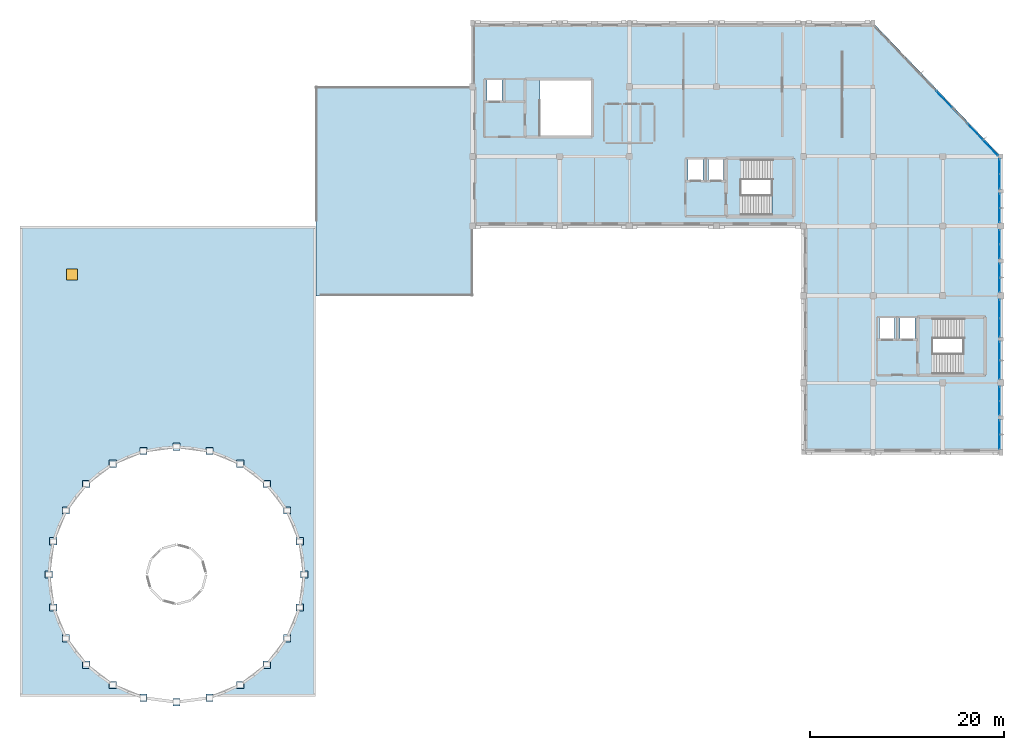
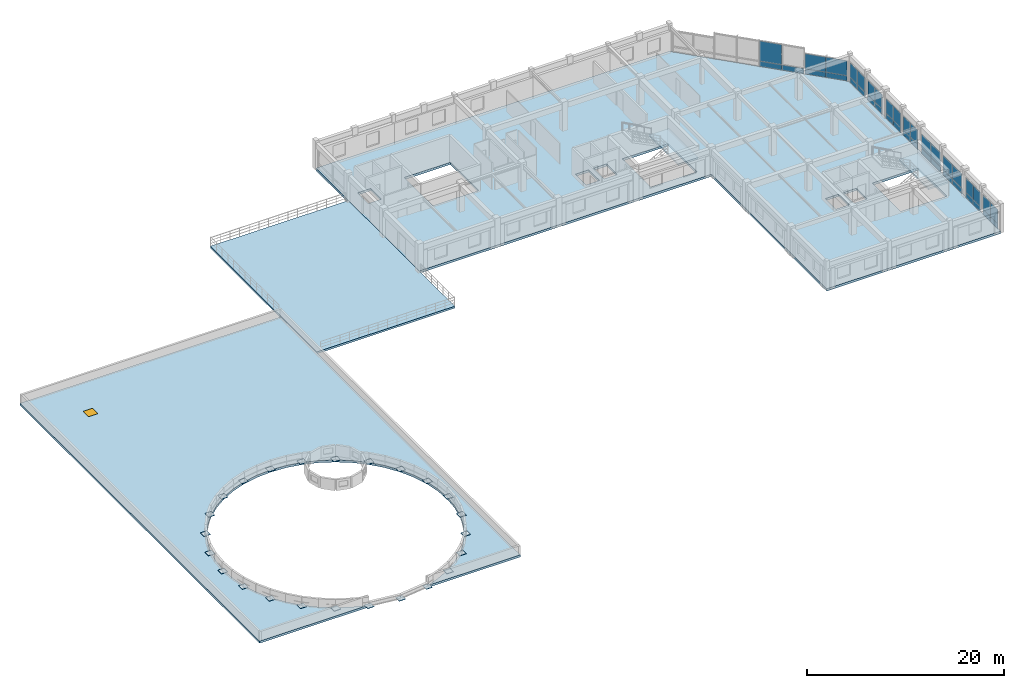
# One storey, part 10 of 18: 63 plates, 5 slabs, 1 window, 1 opening, 12 elements without a shape of their own.
"""IFC4 building model written with IfcOpenShell, lengths in metres."""

from ifc_helpers import new_model, si_unit, direction, frame, frame_2d, origin, origin_2d, place, context, subcontext, project, spatial, polyline, rectangle, outline, extrude, material, layer, layer_set, type_object, element, fill, aggregate, save


model = new_model("IFC4")

# Units and contexts
model_context = context("Model", 3, precision=1e-05, world=origin(), true_north=direction((0.0, 1.0)))
body_context = subcontext(model_context, "Body", "Model", "MODEL_VIEW")
ifc_project = project(units=[si_unit("LENGTHUNIT", "METRE"), si_unit("AREAUNIT", "SQUARE_METRE"), si_unit("VOLUMEUNIT", "CUBIC_METRE"), si_unit("PLANEANGLEUNIT", "RADIAN"), si_unit("MASSUNIT", "GRAM", prefix="KILO")], contexts=[model_context])

# Site, building, storey
site_placement = place(None, origin())
site = spatial("IfcSite", under=ifc_project, at=site_placement, CompositionType="ELEMENT")
building_placement = place(site_placement, origin())
building = spatial("IfcBuilding", under=site, at=building_placement, Name="Clarverna Civic Hall", CompositionType="ELEMENT")
storey_placement = place(building_placement, frame((0.0, 0.0, 20.39990234375)))
storey = spatial("IfcBuildingStorey", under=building, at=storey_placement, Name="L05", CompositionType="ELEMENT", Elevation=20.39990234375)

# Curtain wall, plate
ifc_material_1 = material(Name="Anodised Bronze Architectural Aluminium", Category="aluminium")
curtain_wall_type = type_object("IfcCurtainWallType", Name="CW-01", PredefinedType="USERDEFINED", material=ifc_material_1)
curtain_wall_1_placement = place(storey_placement, origin())
curtain_wall_1 = element("IfcCurtainWall", 1, at=curtain_wall_1_placement, inside=storey, type_object=curtain_wall_type, Name="CW-01-103", ObjectType="UNITISED CURTAIN WALL", PredefinedType="USERDEFINED")
ifc_material_2 = material(Name="Solar-Control Argon Low-E Double Glazing", Category="glass")
ifc_layer_1 = layer(ifc_material_2, 0.031982421875)
ifc_layer_set_1 = layer_set([ifc_layer_1], Name="Solar-Control Argon Low-E Double Glazing")
plate_type_1 = type_object("IfcPlateType", Name="CWP-01", PredefinedType="CURTAIN_PANEL", material=ifc_layer_set_1)
plate_1_placement = place(storey_placement, frame((161.33203125, 108.968505859375, 0.76513671875), z_axis=(0.0, 0.0, 1.0), x_axis=(0.691227416228, -0.72263729426, 0.0)))
plate_1 = element("IfcPlate", 2, at=plate_1_placement, type_object=plate_type_1, Name="CWP-01-585", PredefinedType="CURTAIN_PANEL", context=body_context, shape_type="SweptSolid", body=[
    extrude(rectangle(XDim=2.323974609375, YDim=0.031982421875, at=frame_2d((1.162109375, 0.0))), origin(), (0.0, 0.0, 1.0), 2.48486328125),
])

# Curtain wall, plates
curtain_wall_2_placement = place(storey_placement, origin())
curtain_wall_2 = element("IfcCurtainWall", 3, at=curtain_wall_2_placement, inside=storey, type_object=curtain_wall_type, Name="CW-01-104", ObjectType="UNITISED CURTAIN WALL", PredefinedType="USERDEFINED")
plate_2_placement = place(storey_placement, frame((164.632080078125, 105.5185546875, 0.76513671875), z_axis=(0.0, 0.0, 1.0), x_axis=(0.691157299137, -0.722704357154, 0.0)))
plate_2 = element("IfcPlate", 4, at=plate_2_placement, type_object=plate_type_1, Name="CWP-01-587", PredefinedType="CURTAIN_PANEL", context=body_context, shape_type="SweptSolid", body=[
    extrude(rectangle(XDim=2.20556640625, YDim=0.031982421875, at=frame_2d((1.102783203125, 0.0))), origin(), (0.0, 0.0, 1.0), 1.844970703125),
])
plate_3_placement = place(storey_placement, frame((166.17724609375, 103.903076171875, 0.76513671875), z_axis=(0.0, 0.0, 1.0), x_axis=(0.691215106814, -0.722649068437, 0.0)))
plate_3 = element("IfcPlate", 5, at=plate_3_placement, type_object=plate_type_1, Name="CWP-01-588", PredefinedType="CURTAIN_PANEL", context=body_context, shape_type="SweptSolid", body=[
    extrude(rectangle(XDim=2.205810546875, YDim=0.031982421875, at=frame_2d((1.10302734375, 0.0))), origin(), (0.0, 0.0, 1.0), 1.844970703125),
])

curtain_wall_3_placement = place(storey_placement, origin())
curtain_wall_3 = element("IfcCurtainWall", 6, at=curtain_wall_3_placement, inside=storey, type_object=curtain_wall_type, Name="CW-01-105", ObjectType="UNITISED CURTAIN WALL", PredefinedType="USERDEFINED")
plate_4_placement = place(storey_placement, frame((167.860107421875, 101.886962890625, 0.76513671875), z_axis=(0.0, 0.0, 1.0), x_axis=(0.0, -1.0, 0.0)))
plate_4 = element("IfcPlate", 7, at=plate_4_placement, type_object=plate_type_1, Name="CWP-01-589", PredefinedType="CURTAIN_PANEL", context=body_context, shape_type="SweptSolid", body=[
    extrude(rectangle(XDim=1.489501953125, YDim=0.031982421875, at=frame_2d((0.74462890625, 0.0))), origin(), (0.0, 0.0, 1.0), 1.764892578125),
])
plate_5_placement = place(storey_placement, frame((167.860107421875, 100.367431640625, 0.76513671875), z_axis=(0.0, 0.0, 1.0), x_axis=(0.0, -1.0, 0.0)))
plate_5 = element("IfcPlate", 8, at=plate_5_placement, type_object=plate_type_1, Name="CWP-01-590", PredefinedType="CURTAIN_PANEL", context=body_context, shape_type="SweptSolid", body=[
    extrude(rectangle(XDim=1.489501953125, YDim=0.031982421875, at=frame_2d((0.74462890625, 0.0))), origin(), (0.0, 0.0, 1.0), 1.764892578125),
])

curtain_wall_4_placement = place(storey_placement, origin())
curtain_wall_4 = element("IfcCurtainWall", 9, at=curtain_wall_4_placement, inside=storey, type_object=curtain_wall_type, Name="CW-01-106", ObjectType="UNITISED CURTAIN WALL", PredefinedType="USERDEFINED")
plate_6_placement = place(storey_placement, frame((167.860107421875, 98.322021484375, 0.76513671875), z_axis=(0.0, 0.0, 1.0), x_axis=(0.0, -1.0, 0.0)))
plate_6 = element("IfcPlate", 10, at=plate_6_placement, type_object=plate_type_1, Name="CWP-01-591", PredefinedType="CURTAIN_PANEL", context=body_context, shape_type="SweptSolid", body=[
    extrude(rectangle(XDim=1.439453125, YDim=0.031982421875, at=frame_2d((0.7197265625, 0.0))), origin(), (0.0, 0.0, 1.0), 1.764892578125),
])
plate_7_placement = place(storey_placement, frame((167.860107421875, 96.8525390625, 0.76513671875), z_axis=(0.0, 0.0, 1.0), x_axis=(0.0, -1.0, 0.0)))
plate_7 = element("IfcPlate", 11, at=plate_7_placement, type_object=plate_type_1, Name="CWP-01-592", PredefinedType="CURTAIN_PANEL", context=body_context, shape_type="SweptSolid", body=[
    extrude(rectangle(XDim=1.439453125, YDim=0.031982421875, at=frame_2d((0.7197265625, 0.0))), origin(), (0.0, 0.0, 1.0), 1.764892578125),
])

curtain_wall_5_placement = place(storey_placement, origin())
curtain_wall_5 = element("IfcCurtainWall", 12, at=curtain_wall_5_placement, inside=storey, type_object=curtain_wall_type, Name="CW-01-107", ObjectType="UNITISED CURTAIN WALL", PredefinedType="USERDEFINED")
plate_8_placement = place(storey_placement, frame((167.860107421875, 94.5869140625, 0.76513671875), z_axis=(0.0, 0.0, 1.0), x_axis=(0.0, -1.0, 0.0)))
plate_8 = element("IfcPlate", 13, at=plate_8_placement, type_object=plate_type_1, Name="CWP-01-593", PredefinedType="CURTAIN_PANEL", context=body_context, shape_type="SweptSolid", body=[
    extrude(rectangle(XDim=1.439453125, YDim=0.031982421875, at=frame_2d((0.7197265625, 0.0))), origin(), (0.0, 0.0, 1.0), 1.744873046875),
])
plate_9_placement = place(storey_placement, frame((167.860107421875, 93.117431640625, 0.76513671875), z_axis=(0.0, 0.0, 1.0), x_axis=(0.0, -1.0, 0.0)))
plate_9 = element("IfcPlate", 14, at=plate_9_placement, type_object=plate_type_1, Name="CWP-01-594", PredefinedType="CURTAIN_PANEL", context=body_context, shape_type="SweptSolid", body=[
    extrude(rectangle(XDim=1.439453125, YDim=0.031982421875, at=frame_2d((0.7197265625, 0.0))), origin(), (0.0, 0.0, 1.0), 1.744873046875),
])

curtain_wall_6_placement = place(storey_placement, origin())
curtain_wall_6 = element("IfcCurtainWall", 15, at=curtain_wall_6_placement, inside=storey, type_object=curtain_wall_type, Name="CW-01-108", ObjectType="UNITISED CURTAIN WALL", PredefinedType="USERDEFINED")
plate_10_placement = place(storey_placement, frame((167.860107421875, 91.1220703125, 0.76513671875), z_axis=(0.0, 0.0, 1.0), x_axis=(0.0, -1.0, 0.0)))
plate_10 = element("IfcPlate", 16, at=plate_10_placement, type_object=plate_type_1, Name="CWP-01-595", PredefinedType="CURTAIN_PANEL", context=body_context, shape_type="SweptSolid", body=[
    extrude(rectangle(XDim=1.439453125, YDim=0.031982421875, at=frame_2d((0.7197265625, 0.0))), origin(), (0.0, 0.0, 1.0), 1.744873046875),
])
plate_11_placement = place(storey_placement, frame((167.860107421875, 89.652587890625, 0.76513671875), z_axis=(0.0, 0.0, 1.0), x_axis=(0.0, -1.0, 0.0)))
plate_11 = element("IfcPlate", 17, at=plate_11_placement, type_object=plate_type_1, Name="CWP-01-596", PredefinedType="CURTAIN_PANEL", context=body_context, shape_type="SweptSolid", body=[
    extrude(rectangle(XDim=1.439697265625, YDim=0.031982421875, at=frame_2d((0.7197265625, 0.0))), origin(), (0.0, 0.0, 1.0), 1.744873046875),
])

curtain_wall_7_placement = place(storey_placement, origin())
curtain_wall_7 = element("IfcCurtainWall", 18, at=curtain_wall_7_placement, inside=storey, type_object=curtain_wall_type, Name="CW-01-109", ObjectType="UNITISED CURTAIN WALL", PredefinedType="USERDEFINED")
plate_12_placement = place(storey_placement, frame((167.860107421875, 87.386962890625, 0.76513671875), z_axis=(0.0, 0.0, 1.0), x_axis=(0.0, -1.0, 0.0)))
plate_12 = element("IfcPlate", 19, at=plate_12_placement, type_object=plate_type_1, Name="CWP-01-597", PredefinedType="CURTAIN_PANEL", context=body_context, shape_type="SweptSolid", body=[
    extrude(rectangle(XDim=1.889404296875, YDim=0.031982421875, at=frame_2d((0.94482421875, 0.0))), origin(), (0.0, 0.0, 1.0), 1.744873046875),
])
plate_13_placement = place(storey_placement, frame((167.860107421875, 85.467529296875, 0.76513671875), z_axis=(0.0, 0.0, 1.0), x_axis=(0.0, -1.0, 0.0)))
plate_13 = element("IfcPlate", 20, at=plate_13_placement, type_object=plate_type_1, Name="CWP-01-598", PredefinedType="CURTAIN_PANEL", context=body_context, shape_type="SweptSolid", body=[
    extrude(rectangle(XDim=1.8896484375, YDim=0.031982421875, at=frame_2d((0.94482421875, 0.0))), origin(), (0.0, 0.0, 1.0), 1.744873046875),
])

curtain_wall_8_placement = place(storey_placement, origin())
curtain_wall_8 = element("IfcCurtainWall", 21, at=curtain_wall_8_placement, inside=storey, type_object=curtain_wall_type, Name="CW-01-110", ObjectType="UNITISED CURTAIN WALL", PredefinedType="USERDEFINED")
plate_14_placement = place(storey_placement, frame((167.860107421875, 83.02197265625, 0.76513671875), z_axis=(0.0, 0.0, 1.0), x_axis=(0.0, -1.0, 0.0)))
plate_14 = element("IfcPlate", 22, at=plate_14_placement, type_object=plate_type_1, Name="CWP-01-599", PredefinedType="CURTAIN_PANEL", context=body_context, shape_type="SweptSolid", body=[
    extrude(rectangle(XDim=1.889404296875, YDim=0.031982421875, at=frame_2d((0.94482421875, 0.0))), origin(), (0.0, 0.0, 1.0), 1.744873046875),
])
plate_15_placement = place(storey_placement, frame((167.860107421875, 81.1025390625, 0.76513671875), z_axis=(0.0, 0.0, 1.0), x_axis=(0.0, -1.0, 0.0)))
plate_15 = element("IfcPlate", 23, at=plate_15_placement, type_object=plate_type_1, Name="CWP-01-600", PredefinedType="CURTAIN_PANEL", context=body_context, shape_type="SweptSolid", body=[
    extrude(rectangle(XDim=1.8896484375, YDim=0.031982421875, at=frame_2d((0.94482421875, 0.0))), origin(), (0.0, 0.0, 1.0), 1.744873046875),
])

curtain_wall_9_placement = place(storey_placement, origin())
curtain_wall_9 = element("IfcCurtainWall", 24, at=curtain_wall_9_placement, inside=storey, type_object=curtain_wall_type, Name="CW-01-111", ObjectType="UNITISED CURTAIN WALL", PredefinedType="USERDEFINED")
plate_16_placement = place(storey_placement, frame((167.860107421875, 78.386962890625, 0.76513671875), z_axis=(0.0, 0.0, 1.0), x_axis=(0.0, -1.0, 0.0)))
plate_16 = element("IfcPlate", 25, at=plate_16_placement, type_object=plate_type_1, Name="CWP-01-601", PredefinedType="CURTAIN_PANEL", context=body_context, shape_type="SweptSolid", body=[
    extrude(rectangle(XDim=1.439453125, YDim=0.031982421875, at=frame_2d((0.7197265625, 0.0))), origin(), (0.0, 0.0, 1.0), 1.744873046875),
])
plate_17_placement = place(storey_placement, frame((167.860107421875, 76.91748046875, 0.76513671875), z_axis=(0.0, 0.0, 1.0), x_axis=(0.0, -1.0, 0.0)))
plate_17 = element("IfcPlate", 26, at=plate_17_placement, type_object=plate_type_1, Name="CWP-01-602", PredefinedType="CURTAIN_PANEL", context=body_context, shape_type="SweptSolid", body=[
    extrude(rectangle(XDim=1.439453125, YDim=0.031982421875, at=frame_2d((0.7197265625, 0.0))), origin(), (0.0, 0.0, 1.0), 1.744873046875),
])

curtain_wall_10_placement = place(storey_placement, origin())
curtain_wall_10 = element("IfcCurtainWall", 27, at=curtain_wall_10_placement, inside=storey, type_object=curtain_wall_type, Name="CW-01-112", ObjectType="UNITISED CURTAIN WALL", PredefinedType="USERDEFINED")
plate_18_placement = place(storey_placement, frame((167.860107421875, 74.922119140625, 0.76513671875), z_axis=(0.0, 0.0, 1.0), x_axis=(0.0, -1.0, 0.0)))
plate_18 = element("IfcPlate", 28, at=plate_18_placement, type_object=plate_type_1, Name="CWP-01-603", PredefinedType="CURTAIN_PANEL", context=body_context, shape_type="SweptSolid", body=[
    extrude(rectangle(XDim=1.4521484375, YDim=0.031982421875, at=frame_2d((0.72607421875, 0.0))), origin(), (0.0, 0.0, 1.0), 1.744873046875),
])
plate_19_placement = place(storey_placement, frame((167.860107421875, 73.43994140625, 0.76513671875), z_axis=(0.0, 0.0, 1.0), x_axis=(0.0, -1.0, 0.0)))
plate_19 = element("IfcPlate", 29, at=plate_19_placement, type_object=plate_type_1, Name="CWP-01-604", PredefinedType="CURTAIN_PANEL", context=body_context, shape_type="SweptSolid", body=[
    extrude(rectangle(XDim=1.451904296875, YDim=0.031982421875, at=frame_2d((0.72607421875, 0.0))), origin(), (0.0, 0.0, 1.0), 1.744873046875),
])

# Plate
ifc_material_3 = material(Name="Insulated Anodised Bronze Spandrel Panel", Category="aluminium")
ifc_layer_2 = layer(ifc_material_3, 0.048095703125)
ifc_layer_set_2 = layer_set([ifc_layer_2], Name="Insulated Anodised Bronze Spandrel Panel")
plate_type_2 = type_object("IfcPlateType", Name="CWP-03", PredefinedType="CURTAIN_PANEL", material=ifc_layer_set_2)
plate_20_placement = place(storey_placement, frame((161.33203125, 108.968505859375, 0.110107421875), z_axis=(0.0, 0.0, 1.0), x_axis=(0.691227416228, -0.72263729426, 0.0)))
plate_20 = element("IfcPlate", 30, at=plate_20_placement, type_object=plate_type_2, Name="CWP-03-605", PredefinedType="CURTAIN_PANEL", context=body_context, shape_type="SweptSolid", body=[
    extrude(rectangle(XDim=2.323974609375, YDim=0.048095703125, at=frame_2d((1.162109375, 0.0))), origin(), (0.0, 0.0, 1.0), 0.625),
])

plate_21_placement = place(storey_placement, frame((162.959228515625, 107.267333984375, 0.110107421875), z_axis=(0.0, 0.0, 1.0), x_axis=(0.691227416228, -0.72263729426, 0.0)))
plate_21 = element("IfcPlate", 31, at=plate_21_placement, type_object=plate_type_2, Name="CWP-03-606", PredefinedType="CURTAIN_PANEL", context=body_context, shape_type="SweptSolid", body=[
    extrude(rectangle(XDim=2.323974609375, YDim=0.048095703125, at=frame_2d((1.162109375, 0.0))), origin(), (0.0, 0.0, 1.0), 0.625),
])

aggregate(curtain_wall_1, [plate_20, plate_1, plate_21])

plate_22_placement = place(storey_placement, frame((164.632080078125, 105.5185546875, 0.110107421875), z_axis=(0.0, 0.0, 1.0), x_axis=(0.691157299137, -0.722704357154, 0.0)))
plate_22 = element("IfcPlate", 32, at=plate_22_placement, type_object=plate_type_2, Name="CWP-03-607", PredefinedType="CURTAIN_PANEL", context=body_context, shape_type="SweptSolid", body=[
    extrude(rectangle(XDim=2.20556640625, YDim=0.048095703125, at=frame_2d((1.102783203125, 0.0))), origin(), (0.0, 0.0, 1.0), 0.625),
])

plate_23_placement = place(storey_placement, frame((166.17724609375, 103.903076171875, 0.110107421875), z_axis=(0.0, 0.0, 1.0), x_axis=(0.691215106814, -0.722649068437, 0.0)))
plate_23 = element("IfcPlate", 33, at=plate_23_placement, type_object=plate_type_2, Name="CWP-03-608", PredefinedType="CURTAIN_PANEL", context=body_context, shape_type="SweptSolid", body=[
    extrude(rectangle(XDim=2.205810546875, YDim=0.048095703125, at=frame_2d((1.10302734375, 0.0))), origin(), (0.0, 0.0, 1.0), 0.625),
])

aggregate(curtain_wall_2, [plate_22, plate_2, plate_23, plate_3])

plate_24_placement = place(storey_placement, frame((167.860107421875, 101.886962890625, 0.110107421875), z_axis=(0.0, 0.0, 1.0), x_axis=(0.0, -1.0, 0.0)))
plate_24 = element("IfcPlate", 34, at=plate_24_placement, type_object=plate_type_2, Name="CWP-03-609", PredefinedType="CURTAIN_PANEL", context=body_context, shape_type="SweptSolid", body=[
    extrude(rectangle(XDim=1.489501953125, YDim=0.048095703125, at=frame_2d((0.74462890625, 0.0))), origin(), (0.0, 0.0, 1.0), 0.625),
])

plate_25_placement = place(storey_placement, frame((167.860107421875, 100.367431640625, 0.110107421875), z_axis=(0.0, 0.0, 1.0), x_axis=(0.0, -1.0, 0.0)))
plate_25 = element("IfcPlate", 35, at=plate_25_placement, type_object=plate_type_2, Name="CWP-03-610", PredefinedType="CURTAIN_PANEL", context=body_context, shape_type="SweptSolid", body=[
    extrude(rectangle(XDim=1.489501953125, YDim=0.048095703125, at=frame_2d((0.74462890625, 0.0))), origin(), (0.0, 0.0, 1.0), 0.625),
])

aggregate(curtain_wall_3, [plate_24, plate_4, plate_25, plate_5])

plate_26_placement = place(storey_placement, frame((167.860107421875, 98.322021484375, 0.110107421875), z_axis=(0.0, 0.0, 1.0), x_axis=(0.0, -1.0, 0.0)))
plate_26 = element("IfcPlate", 36, at=plate_26_placement, type_object=plate_type_2, Name="CWP-03-611", PredefinedType="CURTAIN_PANEL", context=body_context, shape_type="SweptSolid", body=[
    extrude(rectangle(XDim=1.439453125, YDim=0.048095703125, at=frame_2d((0.7197265625, 0.0))), origin(), (0.0, 0.0, 1.0), 0.625),
])

plate_27_placement = place(storey_placement, frame((167.860107421875, 96.8525390625, 0.110107421875), z_axis=(0.0, 0.0, 1.0), x_axis=(0.0, -1.0, 0.0)))
plate_27 = element("IfcPlate", 37, at=plate_27_placement, type_object=plate_type_2, Name="CWP-03-612", PredefinedType="CURTAIN_PANEL", context=body_context, shape_type="SweptSolid", body=[
    extrude(rectangle(XDim=1.439453125, YDim=0.048095703125, at=frame_2d((0.7197265625, 0.0))), origin(), (0.0, 0.0, 1.0), 0.625),
])

aggregate(curtain_wall_4, [plate_26, plate_6, plate_27, plate_7])

plate_28_placement = place(storey_placement, frame((167.860107421875, 94.5869140625, 0.110107421875), z_axis=(0.0, 0.0, 1.0), x_axis=(0.0, -1.0, 0.0)))
plate_28 = element("IfcPlate", 38, at=plate_28_placement, type_object=plate_type_2, Name="CWP-03-613", PredefinedType="CURTAIN_PANEL", context=body_context, shape_type="SweptSolid", body=[
    extrude(rectangle(XDim=1.439453125, YDim=0.048095703125, at=frame_2d((0.7197265625, 0.0))), origin(), (0.0, 0.0, 1.0), 0.625),
])

plate_29_placement = place(storey_placement, frame((167.860107421875, 93.117431640625, 0.110107421875), z_axis=(0.0, 0.0, 1.0), x_axis=(0.0, -1.0, 0.0)))
plate_29 = element("IfcPlate", 39, at=plate_29_placement, type_object=plate_type_2, Name="CWP-03-614", PredefinedType="CURTAIN_PANEL", context=body_context, shape_type="SweptSolid", body=[
    extrude(rectangle(XDim=1.439453125, YDim=0.048095703125, at=frame_2d((0.7197265625, 0.0))), origin(), (0.0, 0.0, 1.0), 0.625),
])

aggregate(curtain_wall_5, [plate_28, plate_8, plate_29, plate_9])

plate_30_placement = place(storey_placement, frame((167.860107421875, 91.1220703125, 0.110107421875), z_axis=(0.0, 0.0, 1.0), x_axis=(0.0, -1.0, 0.0)))
plate_30 = element("IfcPlate", 40, at=plate_30_placement, type_object=plate_type_2, Name="CWP-03-615", PredefinedType="CURTAIN_PANEL", context=body_context, shape_type="SweptSolid", body=[
    extrude(rectangle(XDim=1.439453125, YDim=0.048095703125, at=frame_2d((0.7197265625, 0.0))), origin(), (0.0, 0.0, 1.0), 0.625),
])

plate_31_placement = place(storey_placement, frame((167.860107421875, 89.652587890625, 0.110107421875), z_axis=(0.0, 0.0, 1.0), x_axis=(0.0, -1.0, 0.0)))
plate_31 = element("IfcPlate", 41, at=plate_31_placement, type_object=plate_type_2, Name="CWP-03-616", PredefinedType="CURTAIN_PANEL", context=body_context, shape_type="SweptSolid", body=[
    extrude(rectangle(XDim=1.439697265625, YDim=0.048095703125, at=frame_2d((0.7197265625, 0.0))), origin(), (0.0, 0.0, 1.0), 0.625),
])

aggregate(curtain_wall_6, [plate_30, plate_10, plate_31, plate_11])

plate_32_placement = place(storey_placement, frame((167.860107421875, 87.386962890625, 0.110107421875), z_axis=(0.0, 0.0, 1.0), x_axis=(0.0, -1.0, 0.0)))
plate_32 = element("IfcPlate", 42, at=plate_32_placement, type_object=plate_type_2, Name="CWP-03-617", PredefinedType="CURTAIN_PANEL", context=body_context, shape_type="SweptSolid", body=[
    extrude(rectangle(XDim=1.889404296875, YDim=0.048095703125, at=frame_2d((0.94482421875, 0.0))), origin(), (0.0, 0.0, 1.0), 0.625),
])

plate_33_placement = place(storey_placement, frame((167.860107421875, 85.467529296875, 0.110107421875), z_axis=(0.0, 0.0, 1.0), x_axis=(0.0, -1.0, 0.0)))
plate_33 = element("IfcPlate", 43, at=plate_33_placement, type_object=plate_type_2, Name="CWP-03-618", PredefinedType="CURTAIN_PANEL", context=body_context, shape_type="SweptSolid", body=[
    extrude(rectangle(XDim=1.8896484375, YDim=0.048095703125, at=frame_2d((0.94482421875, 0.0))), origin(), (0.0, 0.0, 1.0), 0.625),
])

aggregate(curtain_wall_7, [plate_32, plate_12, plate_33, plate_13])

plate_34_placement = place(storey_placement, frame((167.860107421875, 83.02197265625, 0.110107421875), z_axis=(0.0, 0.0, 1.0), x_axis=(0.0, -1.0, 0.0)))
plate_34 = element("IfcPlate", 44, at=plate_34_placement, type_object=plate_type_2, Name="CWP-03-619", PredefinedType="CURTAIN_PANEL", context=body_context, shape_type="SweptSolid", body=[
    extrude(rectangle(XDim=1.889404296875, YDim=0.048095703125, at=frame_2d((0.94482421875, 0.0))), origin(), (0.0, 0.0, 1.0), 0.625),
])

plate_35_placement = place(storey_placement, frame((167.860107421875, 81.1025390625, 0.110107421875), z_axis=(0.0, 0.0, 1.0), x_axis=(0.0, -1.0, 0.0)))
plate_35 = element("IfcPlate", 45, at=plate_35_placement, type_object=plate_type_2, Name="CWP-03-620", PredefinedType="CURTAIN_PANEL", context=body_context, shape_type="SweptSolid", body=[
    extrude(rectangle(XDim=1.8896484375, YDim=0.048095703125, at=frame_2d((0.94482421875, 0.0))), origin(), (0.0, 0.0, 1.0), 0.625),
])

aggregate(curtain_wall_8, [plate_34, plate_14, plate_35, plate_15])

plate_36_placement = place(storey_placement, frame((167.860107421875, 78.386962890625, 0.110107421875), z_axis=(0.0, 0.0, 1.0), x_axis=(0.0, -1.0, 0.0)))
plate_36 = element("IfcPlate", 46, at=plate_36_placement, type_object=plate_type_2, Name="CWP-03-621", PredefinedType="CURTAIN_PANEL", context=body_context, shape_type="SweptSolid", body=[
    extrude(rectangle(XDim=1.439453125, YDim=0.048095703125, at=frame_2d((0.7197265625, 0.0))), origin(), (0.0, 0.0, 1.0), 0.625),
])

plate_37_placement = place(storey_placement, frame((167.860107421875, 76.91748046875, 0.110107421875), z_axis=(0.0, 0.0, 1.0), x_axis=(0.0, -1.0, 0.0)))
plate_37 = element("IfcPlate", 47, at=plate_37_placement, type_object=plate_type_2, Name="CWP-03-622", PredefinedType="CURTAIN_PANEL", context=body_context, shape_type="SweptSolid", body=[
    extrude(rectangle(XDim=1.439453125, YDim=0.048095703125, at=frame_2d((0.7197265625, 0.0))), origin(), (0.0, 0.0, 1.0), 0.625),
])

aggregate(curtain_wall_9, [plate_36, plate_16, plate_37, plate_17])

plate_38_placement = place(storey_placement, frame((167.860107421875, 74.922119140625, 0.110107421875), z_axis=(0.0, 0.0, 1.0), x_axis=(0.0, -1.0, 0.0)))
plate_38 = element("IfcPlate", 48, at=plate_38_placement, type_object=plate_type_2, Name="CWP-03-623", PredefinedType="CURTAIN_PANEL", context=body_context, shape_type="SweptSolid", body=[
    extrude(rectangle(XDim=1.4521484375, YDim=0.048095703125, at=frame_2d((0.72607421875, 0.0))), origin(), (0.0, 0.0, 1.0), 0.625),
])

plate_39_placement = place(storey_placement, frame((167.860107421875, 73.43994140625, 0.110107421875), z_axis=(0.0, 0.0, 1.0), x_axis=(0.0, -1.0, 0.0)))
plate_39 = element("IfcPlate", 49, at=plate_39_placement, type_object=plate_type_2, Name="CWP-03-624", PredefinedType="CURTAIN_PANEL", context=body_context, shape_type="SweptSolid", body=[
    extrude(rectangle(XDim=1.451904296875, YDim=0.048095703125, at=frame_2d((0.72607421875, 0.0))), origin(), (0.0, 0.0, 1.0), 0.625),
])

aggregate(curtain_wall_10, [plate_38, plate_18, plate_39, plate_19])

# Plates
ifc_material_4 = material(Name="Steel S355", Category="steel")
ifc_layer_3 = layer(ifc_material_4, 0.034912109375)
ifc_layer_set_3 = layer_set([ifc_layer_3], Name="Steel S355")
plate_type_3 = type_object("IfcPlateType", Name="NP-07", PredefinedType="SHEET", material=ifc_layer_set_3)
for number, where, z_axis, x_axis, name in (
    (50, (96.0, 59.0, -0.02001953125), (0.0, 0.0, 1.0), (1.0, 0.0, 0.0), "NP-07-001"),
    (51, (95.55029296875, 62.41650390625, -0.02001953125), (0.0, 0.0, 1.0), (1.0, 0.0, 0.0), "NP-07-002"),
    (52, (94.2314453125, 65.60009765625, -0.02001953125), (0.0, 0.0, 1.0), (1.0, 0.0, 0.0), "NP-07-003"),
    (53, (92.1337890625, 68.333740234375, -0.02001953125), (0.0, 0.0, 1.0), (1.0, 0.0, 0.0), "NP-07-004"),
    (54, (89.39990234375, 70.431396484375, -0.02001953125), (0.0, 0.0, 1.0), (1.0, 0.0, 0.0), "NP-07-005"),
    (55, (86.21630859375, 71.750244140625, -0.02001953125), (0.0, 0.0, 1.0), (1.0, 0.0, 0.0), "NP-07-006"),
    (56, (82.800048828125, 72.199951171875, -0.02001953125), (0.0, 0.0, 1.0), (1.0, 0.0, 0.0), "NP-07-007"),
    (57, (79.383544921875, 71.750244140625, -0.02001953125), (0.0, 0.0, 1.0), (1.0, 0.0, 0.0), "NP-07-008"),
    (58, (76.199951171875, 70.431396484375, -0.02001953125), (0.0, 0.0, 1.0), (1.0, 0.0, 0.0), "NP-07-009"),
    (59, (73.46630859375, 68.333740234375, -0.02001953125), (0.0, 0.0, 1.0), (1.0, 0.0, 0.0), "NP-07-010"),
    (60, (71.368408203125, 65.60009765625, -0.02001953125), (0.0, 0.0, 1.0), (1.0, 0.0, 0.0), "NP-07-011"),
    (61, (70.0498046875, 62.41650390625, -0.02001953125), (0.0, 0.0, 1.0), (1.0, 0.0, 0.0), "NP-07-012"),
    (62, (69.60009765625, 59.0, -0.02001953125), (0.0, 0.0, 1.0), (1.0, 0.0, 0.0), "NP-07-013"),
    (63, (70.0498046875, 55.58349609375, -0.02001953125), (0.0, 0.0, 1.0), (1.0, 0.0, 0.0), "NP-07-014"),
    (64, (71.368408203125, 52.39990234375, -0.02001953125), (0.0, 0.0, 1.0), (1.0, 0.0, 0.0), "NP-07-015"),
    (65, (73.46630859375, 49.666259765625, -0.02001953125), (0.0, 0.0, 1.0), (1.0, 0.0, 0.0), "NP-07-016"),
    (66, (76.199951171875, 47.568603515625, -0.02001953125), (0.0, 0.0, 1.0), (1.0, 0.0, 0.0), "NP-07-017"),
    (67, (79.383544921875, 46.249755859375, -0.02001953125), (0.0, 0.0, 1.0), (1.0, 0.0, 0.0), "NP-07-018"),
    (68, (82.800048828125, 45.800048828125, -0.02001953125), (0.0, 0.0, 1.0), (1.0, 0.0, 0.0), "NP-07-019"),
    (69, (86.21630859375, 46.249755859375, -0.02001953125), (0.0, 0.0, 1.0), (1.0, 0.0, 0.0), "NP-07-020"),
    (70, (89.39990234375, 47.568603515625, -0.02001953125), (0.0, 0.0, 1.0), (1.0, 0.0, 0.0), "NP-07-021"),
    (71, (92.1337890625, 49.666259765625, -0.02001953125), (0.0, 0.0, 1.0), (1.0, 0.0, 0.0), "NP-07-022"),
    (72, (94.2314453125, 52.39990234375, -0.02001953125), (0.0, 0.0, 1.0), (1.0, 0.0, 0.0), "NP-07-023"),
    (73, (95.55029296875, 55.58349609375, -0.02001953125), (0.0, 0.0, 1.0), (1.0, 0.0, 0.0), "NP-07-024"),
):
    element("IfcPlate", number, at=place(storey_placement, frame(where, z_axis=z_axis, x_axis=x_axis)), inside=storey, type_object=plate_type_3, Name=name, PredefinedType="SHEET", context=body_context, shape_type="SweptSolid", body=[
        extrude(rectangle(XDim=0.75, YDim=0.75, at=origin_2d()), origin(), (0.0, 0.0, 1.0), 0.0400390625),
    ])

# Slab
ifc_material_5 = material(Name="Concrete C30/37", Category="concrete")
ifc_layer_4 = layer(ifc_material_5, 0.280029296875)
ifc_layer_set_4 = layer_set([ifc_layer_4], Name="Concrete C30/37")
slab_type_1 = type_object("IfcSlabType", Name="SL-FL4", PredefinedType="FLOOR", material=ifc_layer_set_4)
slab_1_placement = place(storey_placement, frame((0.0, 0.0, -0.27978515625)))
element("IfcSlab", 74, at=slab_1_placement, inside=storey, type_object=slab_type_1, Name="SL-FL4-023", PredefinedType="FLOOR", context=body_context, shape_type="SweptSolid", body=[
    extrude(outline(polyline([(113.39990234375, 95.0), (147.60009765625, 95.0), (147.60009765625, 71.60009765625), (168.0, 71.60009765625), (168.0, 102.199951171875), (154.800048828125, 116.0), (113.39990234375, 116.0), (113.39990234375, 95.0)]), holes=[polyline([(141.14990234375, 96.1201171875), (146.550048828125, 96.1201171875), (146.550048828125, 101.8798828125), (141.14990234375, 101.8798828125), (141.14990234375, 96.1201171875)]), polyline([(135.669921875, 99.739990234375), (137.22998046875, 99.739990234375), (137.22998046875, 101.89990234375), (135.669921875, 101.89990234375), (135.669921875, 99.739990234375)]), polyline([(137.77001953125, 99.739990234375), (139.330078125, 99.739990234375), (139.330078125, 101.89990234375), (137.77001953125, 101.89990234375), (137.77001953125, 99.739990234375)]), polyline([(160.949951171875, 79.719970703125), (166.35009765625, 79.719970703125), (166.35009765625, 85.47998046875), (160.949951171875, 85.47998046875), (160.949951171875, 79.719970703125)]), polyline([(155.469970703125, 83.340087890625), (157.030029296875, 83.340087890625), (157.030029296875, 85.5), (155.469970703125, 85.5), (155.469970703125, 83.340087890625)]), polyline([(157.570068359375, 83.340087890625), (159.1298828125, 83.340087890625), (159.1298828125, 85.5), (157.570068359375, 85.5), (157.570068359375, 83.340087890625)]), polyline([(120.35009765625, 104.320068359375), (125.75, 104.320068359375), (125.75, 110.080078125), (120.35009765625, 110.080078125), (120.35009765625, 104.320068359375)]), polyline([(114.8701171875, 107.93994140625), (116.429931640625, 107.93994140625), (116.429931640625, 110.10009765625), (114.8701171875, 110.10009765625), (114.8701171875, 107.93994140625)])]), origin(), (0.0, 0.0, 1.0), 0.27978515625),
])

# Stair, slab
stair_type = type_object("IfcStairType", Name="ST-H1", PredefinedType="HALF_TURN_STAIR", material=ifc_material_5)
stair_1_placement = place(storey_placement, origin())
stair_1 = element("IfcStair", 75, at=stair_1_placement, inside=storey, type_object=stair_type, Name="ST-H1:L05:0005", PredefinedType="HALF_TURN_STAIR")
ifc_layer_5 = layer(ifc_material_5, 0.199951171875)
ifc_layer_set_5 = layer_set([ifc_layer_5], Name="Concrete C30/37")
slab_type_2 = type_object("IfcSlabType", Name="SL-LD1", PredefinedType="LANDING", material=ifc_layer_set_5)
slab_2_placement = place(storey_placement, frame((0.0, 0.0, 1.60009765625)))
slab_2 = element("IfcSlab", 76, at=slab_2_placement, type_object=slab_type_2, Name="SL-LD1-007", PredefinedType="LANDING", context=body_context, shape_type="SweptSolid", body=[
    extrude(outline(polyline([(144.340087890625, 96.02001953125), (146.64990234375, 96.02001953125), (146.64990234375, 101.97998046875), (144.340087890625, 101.97998046875), (144.340087890625, 96.02001953125)])), origin(), (0.0, 0.0, 1.0), 0.199951171875),
])
aggregate(stair_1, [slab_2])

stair_2_placement = place(storey_placement, origin())
stair_2 = element("IfcStair", 77, at=stair_2_placement, inside=storey, type_object=stair_type, Name="ST-H1:L05:0011", PredefinedType="HALF_TURN_STAIR")
slab_3_placement = place(storey_placement, frame((0.0, 0.0, 1.60009765625)))
slab_3 = element("IfcSlab", 78, at=slab_3_placement, type_object=slab_type_2, Name="SL-LD1-015", PredefinedType="LANDING", context=body_context, shape_type="SweptSolid", body=[
    extrude(outline(polyline([(164.139892578125, 79.6201171875), (166.449951171875, 79.6201171875), (166.449951171875, 85.580078125), (164.139892578125, 85.580078125), (164.139892578125, 79.6201171875)])), origin(), (0.0, 0.0, 1.0), 0.199951171875),
])
aggregate(stair_2, [slab_3])

# Slab, opening, window
ifc_layer_6 = layer(ifc_material_5, 0.260009765625)
ifc_layer_set_6 = layer_set([ifc_layer_6], Name="Concrete C30/37")
slab_type_3 = type_object("IfcSlabType", Name="SL-RF1", PredefinedType="ROOF", material=ifc_layer_set_6)
slab_4_placement = place(storey_placement, frame((0.0, 0.0, -0.260009765625)))
slab_4 = element("IfcSlab", 79, at=slab_4_placement, inside=storey, type_object=slab_type_3, Name="SL-RF1-006", PredefinedType="ROOF", context=body_context, shape_type="SweptSolid", body=[
    extrude(outline(polyline([(97.175048828125, 95.0), (66.625, 95.0), (66.625, 46.39990234375), (79.40673828125, 46.39990234375), (77.805908203125, 46.943359375), (76.27490234375, 47.698486328125), (74.855712890625, 48.646728515625), (73.572265625, 49.772216796875), (72.44677734375, 51.0556640625), (71.498291015625, 52.47509765625), (70.743408203125, 54.006103515625), (70.194580078125, 55.622314453125), (69.861572265625, 57.296630859375), (69.75, 59.0), (69.861572265625, 60.703369140625), (70.194580078125, 62.377685546875), (70.743408203125, 63.993896484375), (71.498291015625, 65.52490234375), (72.44677734375, 66.9443359375), (73.572265625, 68.227783203125), (74.855712890625, 69.353271484375), (76.27490234375, 70.301513671875), (77.805908203125, 71.056640625), (79.42236328125, 71.605224609375), (81.0966796875, 71.9384765625), (82.800048828125, 72.050048828125), (84.50341796875, 71.9384765625), (86.177490234375, 71.605224609375), (87.7939453125, 71.056640625), (89.324951171875, 70.301513671875), (90.744384765625, 69.353271484375), (92.027587890625, 68.227783203125), (93.1533203125, 66.9443359375), (94.1015625, 65.52490234375), (94.856689453125, 63.993896484375), (95.4052734375, 62.377685546875), (95.73828125, 60.703369140625), (95.85009765625, 59.0), (95.73828125, 57.296630859375), (95.4052734375, 55.622314453125), (94.856689453125, 54.006103515625), (94.1015625, 52.47509765625), (93.1533203125, 51.0556640625), (92.027587890625, 49.772216796875), (90.744384765625, 48.646728515625), (89.324951171875, 47.698486328125), (87.7939453125, 46.943359375), (86.193359375, 46.39990234375), (97.175048828125, 46.39990234375), (97.175048828125, 95.0)])), origin(), (0.0, 0.0, 1.0), 0.260009765625),
])
opening_placement = place(slab_4_placement, frame((72.0, 90.0, 0.0)))
opening = element("IfcOpeningElement", 80, at=opening_placement, cuts=slab_4, Name="Opening RH-01", PredefinedType="OPENING", context=body_context, shape_type="SweptSolid", body=[
    extrude(rectangle(XDim=1.10009765625, YDim=1.10009765625, at=origin_2d()), frame((0.0, 0.0, -0.010009765625)), (0.0, 0.0, 1.0), 0.280029296875),
])
window_type = type_object("IfcWindowType", Name="RH-01", PartitioningType="SINGLE_PANEL", PredefinedType="SKYLIGHT", material=ifc_material_2)
window_placement = place(opening_placement, frame((0.0, 0.0, 0.2099609375)))
window = element("IfcWindow", 81, at=window_placement, inside=storey, type_object=window_type, Name="RH-01-002", OverallHeight=1.10009765625, OverallWidth=1.10009765625, PartitioningType="SINGLE_PANEL", PredefinedType="SKYLIGHT", context=body_context, shape_type="SweptSolid", body=[
    extrude(rectangle(XDim=1.10009765625, YDim=1.10009765625, at=origin_2d()), origin(), (0.0, 0.0, 1.0), 0.050048828125),
])
fill(opening, window)

# Slab
ifc_layer_7 = layer(ifc_material_5, 0.239990234375)
ifc_layer_set_7 = layer_set([ifc_layer_7], Name="Concrete C30/37")
slab_type_4 = type_object("IfcSlabType", Name="SL-TR1", PredefinedType="FLOOR", material=ifc_layer_set_7)
slab_5_placement = place(storey_placement, frame((0.0, 0.0, -0.239990234375)))
element("IfcSlab", 82, at=slab_5_placement, inside=storey, type_object=slab_type_4, Name="SL-TR1-011", PredefinedType="FLOOR", context=body_context, shape_type="SweptSolid", body=[
    extrude(outline(polyline([(113.39990234375, 109.39990234375), (97.22509765625, 109.39990234375), (97.22509765625, 87.800048828125), (113.39990234375, 87.800048828125), (113.39990234375, 95.0), (113.39990234375, 109.39990234375)])), origin(), (0.0, 0.0, 1.0), 0.239990234375),
])

save(model, "model.ifc")
